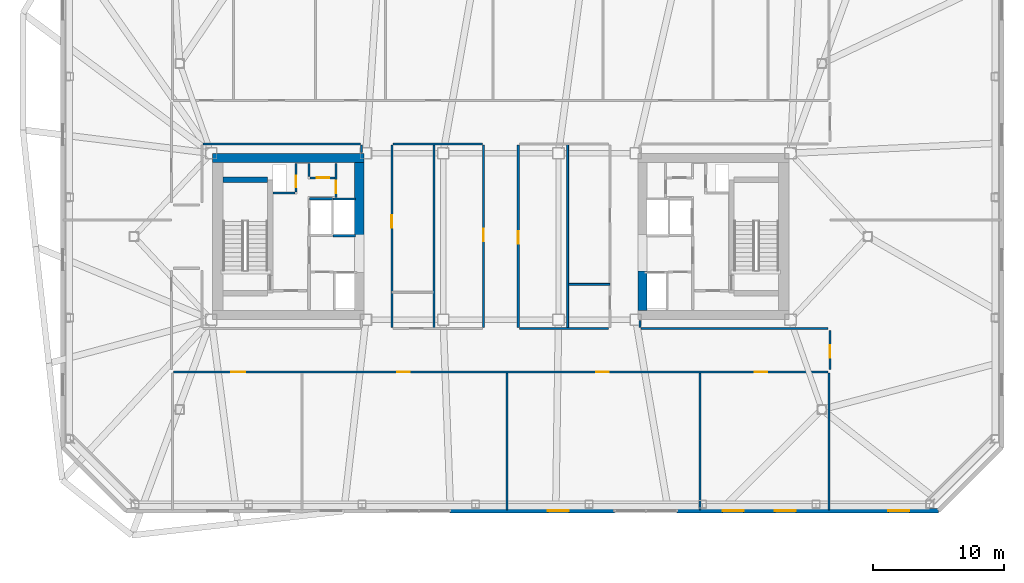
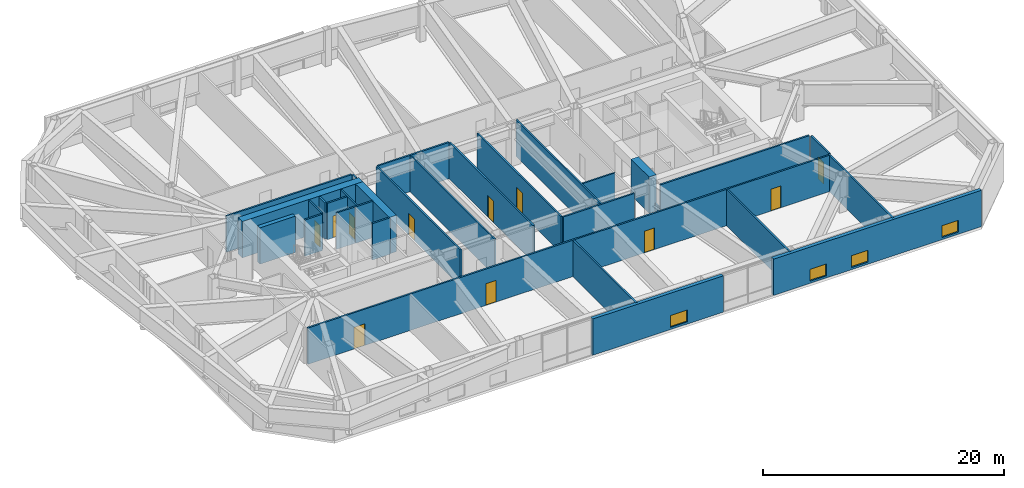
# One storey, part 13 of 19: 31 walls, 11 doors, 4 windows, 15 openings.
"""IFC4 building model written with IfcOpenShell, lengths in metres."""

from ifc_helpers import new_model, si_unit, direction, frame, frame_2d, origin, place, context, subcontext, project, spatial, rectangle, extrude, material, layer, layer_set, type_object, element, fill, save


model = new_model("IFC4")

# Units and contexts
model_context = context("Model", 3, precision=1e-05, world=origin(), true_north=direction((0.0, 1.0)))
body_context = subcontext(model_context, "Body", "Model", "MODEL_VIEW")
ifc_project = project(units=[si_unit("LENGTHUNIT", "METRE"), si_unit("AREAUNIT", "SQUARE_METRE"), si_unit("VOLUMEUNIT", "CUBIC_METRE"), si_unit("PLANEANGLEUNIT", "RADIAN"), si_unit("MASSUNIT", "GRAM", prefix="KILO")], contexts=[model_context])

# Site, building, storey
site_placement = place(None, origin())
site = spatial("IfcSite", under=ifc_project, at=site_placement, CompositionType="ELEMENT")
building_placement = place(site_placement, origin())
building = spatial("IfcBuilding", under=site, at=building_placement, Name="Tavrogorsk Clinical Tower", CompositionType="ELEMENT")
storey_placement = place(building_placement, frame((0.0, 0.0, 204.199951171875)))
storey = spatial("IfcBuildingStorey", under=building, at=storey_placement, Name="L47", CompositionType="ELEMENT", Elevation=204.199951171875)

# Walls
ifc_material_1 = material(Name="Lightweight concrete blockwork B15", Category="masonry")
ifc_layer_1 = layer(ifc_material_1, 0.139892578125)
ifc_layer_set_1 = layer_set([ifc_layer_1], Name="Lightweight concrete blockwork B15")
wall_type_1 = type_object("IfcWallType", Name="PartitionWall_140", PredefinedType="PARTITIONING", material=ifc_layer_set_1)
for number, where, z_axis, x_axis, name in (
    (1, (-5.10009765625, -7.014892578125, 0.0), (0.0, 0.0, 1.0), (0.0, 1.0, 0.0), "L47 Central Spine Partition 1"),
    (2, (5.10009765625, -7.014892578125, 0.0), (0.0, 0.0, 1.0), (0.0, 1.0, 0.0), "L47 Central Spine Partition 2"),
):
    element("IfcWall", number, at=place(storey_placement, frame(where, z_axis=z_axis, x_axis=x_axis)), inside=storey, type_object=wall_type_1, Name=name, PredefinedType="PARTITIONING", context=body_context, shape_type="SweptSolid", body=[
        extrude(rectangle(XDim=14.079833984375, YDim=0.139892578125, at=frame_2d((7.0400390625, 0.0))), origin(), (0.0, 0.0, 1.0), 3.679931640625),
    ])
wall_1_placement = place(storey_placement, frame((5.175048828125, -3.64990234375, 0.0), z_axis=(0.0, 0.0, 1.0), x_axis=(1.0, 0.0, 0.0)))
element("IfcWall", 3, at=wall_1_placement, inside=storey, type_object=wall_type_1, Name="L47 Central Spine Partition 4", PredefinedType="PARTITIONING", context=body_context, shape_type="SweptSolid", body=[
    extrude(rectangle(XDim=3.139892578125, YDim=0.139892578125, at=frame_2d((1.56982421875, 0.0))), origin(), (0.0, 0.0, 1.0), 3.679931640625),
])

# Wall, opening, door
ifc_material_2 = material(Name="Lightweight concrete blockwork B15", Category="masonry")
ifc_layer_2 = layer(ifc_material_2, 0.159912109375)
ifc_layer_set_2 = layer_set([ifc_layer_2], Name="Lightweight concrete blockwork B15")
wall_type_2 = type_object("IfcWallType", Name="PartitionWall_160", PredefinedType="PARTITIONING", material=ifc_layer_set_2)
wall_2_placement = place(storey_placement, frame((-12.580078125, 2.9599609375, 0.0), z_axis=(0.0, 0.0, 1.0), x_axis=(0.0, 1.0, 0.0)))
wall_2 = element("IfcWall", 4, at=wall_2_placement, inside=storey, type_object=wall_type_2, Name="L47 Core West Linen Closet Wall", PredefinedType="PARTITIONING", context=body_context, shape_type="SweptSolid", body=[
    extrude(rectangle(XDim=2.60009765625, YDim=0.159912109375, at=frame_2d((1.300048828125, 0.0))), origin(), (0.0, 0.0, 1.0), 3.679931640625),
])
opening_1_placement = place(wall_2_placement, frame((0.35009765625, 0.0, 0.0)))
opening_1 = element("IfcOpeningElement", 5, at=opening_1_placement, cuts=wall_2, Name="Opening ID-02", PredefinedType="OPENING", context=body_context, shape_type="SweptSolid", body=[
    extrude(rectangle(XDim=0.949951171875, YDim=2.199951171875, at=frame_2d((0.47509765625, 1.10009765625))), frame((0.0, 0.08984375, 0.0), z_axis=(0.0, -1.0, 0.0), x_axis=(1.0, 0.0, 0.0)), (0.0, 0.0, 1.0), 0.179931640625),
])
ifc_material_3 = material(Name="Laminated timber leaf on aluminium frame", Category="wood")
door_type_1 = type_object("IfcDoorType", Name="InteriorDoor_ID02_950", OperationType="NOTDEFINED", PredefinedType="DOOR", material=ifc_material_3)
door_1_placement = place(opening_1_placement, origin())
door_1 = element("IfcDoor", 6, at=door_1_placement, inside=storey, type_object=door_type_1, Name="L47 Core West Linen Closet Door", OperationType="SINGLE_SWING_RIGHT", OverallHeight=2.199951171875, OverallWidth=0.949951171875, PredefinedType="DOOR", context=body_context, shape_type="SweptSolid", body=[
    extrude(rectangle(XDim=0.949951171875, YDim=2.199951171875, at=frame_2d((0.47509765625, 1.10009765625))), frame((0.0, 0.02490234375, 0.0), z_axis=(0.0, -1.0, 0.0), x_axis=(1.0, 0.0, 0.0)), (0.0, 0.0, 1.0), 0.050048828125),
])
fill(opening_1, door_1)

wall_3_placement = place(storey_placement, frame((-14.554931640625, 4.47998046875, 0.0), z_axis=(0.0, 0.0, 1.0), x_axis=(1.0, 0.0, 0.0)))
wall_3 = element("IfcWall", 7, at=wall_3_placement, inside=storey, type_object=wall_type_2, Name="L47 Core West Housekeeping South Wall", PredefinedType="PARTITIONING", context=body_context, shape_type="SweptSolid", body=[
    extrude(rectangle(XDim=1.889892578125, YDim=0.159912109375, at=frame_2d((0.94482421875, 0.0))), origin(), (0.0, 0.0, 1.0), 3.679931640625),
])
opening_2_placement = place(wall_3_placement, frame((0.5, 0.0, 0.0)))
opening_2 = element("IfcOpeningElement", 8, at=opening_2_placement, cuts=wall_3, Name="Opening ID-02", PredefinedType="OPENING", context=body_context, shape_type="SweptSolid", body=[
    extrude(rectangle(XDim=0.949951171875, YDim=2.199951171875, at=frame_2d((0.47509765625, 1.10009765625))), frame((0.0, 0.08984375, 0.0), z_axis=(0.0, -1.0, 0.0), x_axis=(1.0, 0.0, 0.0)), (0.0, 0.0, 1.0), 0.179931640625),
])
door_2_placement = place(opening_2_placement, origin())
door_2 = element("IfcDoor", 9, at=door_2_placement, inside=storey, type_object=door_type_1, Name="L47 Core West Housekeeping Closet Door", OperationType="SINGLE_SWING_LEFT", OverallHeight=2.199951171875, OverallWidth=0.949951171875, PredefinedType="DOOR", context=body_context, shape_type="SweptSolid", body=[
    extrude(rectangle(XDim=0.949951171875, YDim=2.199951171875, at=frame_2d((0.47509765625, 1.10009765625))), frame((0.0, 0.02490234375, 0.0), z_axis=(0.0, -1.0, 0.0), x_axis=(1.0, 0.0, 0.0)), (0.0, 0.0, 1.0), 0.050048828125),
])
fill(opening_2, door_2)

# Walls
wall_4_placement = place(storey_placement, frame((-14.639892578125, 4.56494140625, 0.0), z_axis=(0.0, 0.0, 1.0), x_axis=(0.0, 1.0, 0.0)))
element("IfcWall", 10, at=wall_4_placement, inside=storey, type_object=wall_type_2, Name="L47 Core West Housekeeping East Wall", PredefinedType="PARTITIONING", context=body_context, shape_type="SweptSolid", body=[
    extrude(rectangle(XDim=0.9951171875, YDim=0.159912109375, at=frame_2d((0.49755859375, 0.0))), origin(), (0.0, 0.0, 1.0), 3.679931640625),
])
wall_5_placement = place(storey_placement, frame((-10.6298828125, 6.419921875, 0.0), z_axis=(0.0, 0.0, 1.0), x_axis=(0.0, 1.0, 0.0)))
element("IfcWall", 11, at=wall_5_placement, inside=storey, type_object=wall_type_2, Name="L47 Corridor Partition 06", PredefinedType="PARTITIONING", context=body_context, shape_type="SweptSolid", body=[
    extrude(rectangle(XDim=0.565185546875, YDim=0.159912109375, at=frame_2d((0.28271484375, 0.0))), origin(), (0.0, 0.0, 1.0), 3.679931640625),
])
wall_6_placement = place(storey_placement, frame((-10.715087890625, 7.070068359375, 0.0), z_axis=(0.0, 0.0, 1.0), x_axis=(-1.0, 0.0, 0.0)))
element("IfcWall", 12, at=wall_6_placement, inside=storey, type_object=wall_type_2, Name="L47 Corridor Partition 07", PredefinedType="PARTITIONING", context=body_context, shape_type="SweptSolid", body=[
    extrude(rectangle(XDim=12.02001953125, YDim=0.159912109375, at=frame_2d((6.010009765625, 0.0))), origin(), (0.0, 0.0, 1.0), 3.679931640625),
])
wall_7_placement = place(storey_placement, frame((10.6298828125, -6.419921875, 0.0), z_axis=(0.0, 0.0, 1.0), x_axis=(0.0, -1.0, 0.0)))
element("IfcWall", 13, at=wall_7_placement, inside=storey, type_object=wall_type_2, Name="L47 Corridor Partition 15", PredefinedType="PARTITIONING", context=body_context, shape_type="SweptSolid", body=[
    extrude(rectangle(XDim=0.51513671875, YDim=0.159912109375, at=frame_2d((0.257568359375, 0.0))), origin(), (0.0, 0.0, 1.0), 1.47509765625),
])
wall_8_placement = place(storey_placement, frame((10.715087890625, -7.02001953125, 0.0), z_axis=(0.0, 0.0, 1.0), x_axis=(1.0, 0.0, 0.0)))
element("IfcWall", 14, at=wall_8_placement, inside=storey, type_object=wall_type_2, Name="L47 Corridor Partition 16", PredefinedType="PARTITIONING", context=body_context, shape_type="SweptSolid", body=[
    extrude(rectangle(XDim=14.25, YDim=0.159912109375, at=frame_2d((7.125, 0.0))), origin(), (0.0, 0.0, 1.0), 3.679931640625),
])

# Wall, opening, door
wall_9_placement = place(storey_placement, frame((25.1298828125, -7.18505859375, 0.0), z_axis=(0.0, 0.0, 1.0), x_axis=(0.0, -1.0, 0.0)))
wall_9 = element("IfcWall", 15, at=wall_9_placement, inside=storey, type_object=wall_type_2, Name="L47 Corridor Partition 17", PredefinedType="PARTITIONING", context=body_context, shape_type="SweptSolid", body=[
    extrude(rectangle(XDim=2.97998046875, YDim=0.159912109375, at=frame_2d((1.489990234375, 0.0))), origin(), (0.0, 0.0, 1.0), 3.679931640625),
])
opening_3_placement = place(wall_9_placement, frame((1.10009765625, 0.0, 0.0)))
opening_3 = element("IfcOpeningElement", 16, at=opening_3_placement, cuts=wall_9, Name="Opening ID-02", PredefinedType="OPENING", context=body_context, shape_type="SweptSolid", body=[
    extrude(rectangle(XDim=0.949951171875, YDim=2.199951171875, at=frame_2d((0.47509765625, 1.10009765625))), frame((0.0, 0.08984375, 0.0), z_axis=(0.0, -1.0, 0.0), x_axis=(1.0, 0.0, 0.0)), (0.0, 0.0, 1.0), 0.179931640625),
])
door_3_placement = place(opening_3_placement, origin())
door_3 = element("IfcDoor", 17, at=door_3_placement, inside=storey, type_object=door_type_1, Name="L47 E Senior Clinician Suite 1 Door", OperationType="SINGLE_SWING_LEFT", OverallHeight=2.199951171875, OverallWidth=0.949951171875, PredefinedType="DOOR", context=body_context, shape_type="SweptSolid", body=[
    extrude(rectangle(XDim=0.949951171875, YDim=2.199951171875, at=frame_2d((0.47509765625, 1.10009765625))), frame((0.0, 0.02490234375, 0.0), z_axis=(0.0, -1.0, 0.0), x_axis=(1.0, 0.0, 0.0)), (0.0, 0.0, 1.0), 0.050048828125),
])
fill(opening_3, door_3)

# Wall, openings, doors
wall_10_placement = place(storey_placement, frame((24.965087890625, -10.330078125, 0.0), z_axis=(0.0, 0.0, 1.0), x_axis=(-1.0, 0.0, 0.0)))
wall_10 = element("IfcWall", 18, at=wall_10_placement, inside=storey, type_object=wall_type_2, Name="L47 Corridor Partition 18", PredefinedType="PARTITIONING", context=body_context, shape_type="SweptSolid", body=[
    extrude(rectangle(XDim=49.93017578125, YDim=0.159912109375, at=frame_2d((24.965087890625, 0.0))), origin(), (0.0, 0.0, 1.0), 3.679931640625),
])
opening_4_placement = place(wall_10_placement, frame((44.48583984375, 0.0, 0.0)))
opening_4 = element("IfcOpeningElement", 19, at=opening_4_placement, cuts=wall_10, Name="Opening ID-04", PredefinedType="OPENING", context=body_context, shape_type="SweptSolid", body=[
    extrude(rectangle(XDim=1.050048828125, YDim=2.199951171875, at=frame_2d((0.52490234375, 1.10009765625))), frame((0.0, 0.08984375, 0.0), z_axis=(0.0, -1.0, 0.0), x_axis=(1.0, 0.0, 0.0)), (0.0, 0.0, 1.0), 0.179931640625),
])
opening_5_placement = place(wall_10_placement, frame((31.919921875, 0.0, 0.0)))
opening_5 = element("IfcOpeningElement", 20, at=opening_5_placement, cuts=wall_10, Name="Opening ID-02", PredefinedType="OPENING", context=body_context, shape_type="SweptSolid", body=[
    extrude(rectangle(XDim=0.949951171875, YDim=2.199951171875, at=frame_2d((0.47509765625, 1.10009765625))), frame((0.0, 0.08984375, 0.0), z_axis=(0.0, -1.0, 0.0), x_axis=(1.0, 0.0, 0.0)), (0.0, 0.0, 1.0), 0.179931640625),
])
opening_6_placement = place(wall_10_placement, frame((16.739990234375, 0.0, 0.0)))
opening_6 = element("IfcOpeningElement", 21, at=opening_6_placement, cuts=wall_10, Name="Opening ID-02", PredefinedType="OPENING", context=body_context, shape_type="SweptSolid", body=[
    extrude(rectangle(XDim=0.949951171875, YDim=2.199951171875, at=frame_2d((0.47509765625, 1.10009765625))), frame((0.0, 0.08984375, 0.0), z_axis=(0.0, -1.0, 0.0), x_axis=(1.0, 0.0, 0.0)), (0.0, 0.0, 1.0), 0.179931640625),
])
opening_7_placement = place(wall_10_placement, frame((4.64404296875, 0.0, 0.0)))
opening_7 = element("IfcOpeningElement", 22, at=opening_7_placement, cuts=wall_10, Name="Opening ID-02", PredefinedType="OPENING", context=body_context, shape_type="SweptSolid", body=[
    extrude(rectangle(XDim=0.949951171875, YDim=2.199951171875, at=frame_2d((0.47509765625, 1.10009765625))), frame((0.0, 0.08984375, 0.0), z_axis=(0.0, -1.0, 0.0), x_axis=(1.0, 0.0, 0.0)), (0.0, 0.0, 1.0), 0.179931640625),
])
ifc_material_4 = material(Name="Antibacterial HPL consultation door on aluminium frame", Category="aluminium")
door_type_2 = type_object("IfcDoorType", Name="ConsultDoor_ID04_1050", OperationType="NOTDEFINED", PredefinedType="DOOR", material=ifc_material_4)
door_4_placement = place(opening_4_placement, origin())
door_4 = element("IfcDoor", 23, at=door_4_placement, inside=storey, type_object=door_type_2, Name="L47 South Clinical Informatics Research Office 01 Door", OperationType="SINGLE_SWING_LEFT", OverallHeight=2.199951171875, OverallWidth=1.050048828125, PredefinedType="DOOR", context=body_context, shape_type="SweptSolid", body=[
    extrude(rectangle(XDim=1.050048828125, YDim=2.199951171875, at=frame_2d((0.52490234375, 1.10009765625))), frame((0.0, 0.02490234375, 0.0), z_axis=(0.0, -1.0, 0.0), x_axis=(1.0, 0.0, 0.0)), (0.0, 0.0, 1.0), 0.050048828125),
])
fill(opening_4, door_4)
door_5_placement = place(opening_5_placement, origin())
door_5 = element("IfcDoor", 24, at=door_5_placement, inside=storey, type_object=door_type_1, Name="L47 South Biomedical Teaching Archive Store 02A Door", OperationType="SINGLE_SWING_RIGHT", OverallHeight=2.199951171875, OverallWidth=0.949951171875, PredefinedType="DOOR", context=body_context, shape_type="SweptSolid", body=[
    extrude(rectangle(XDim=0.949951171875, YDim=2.199951171875, at=frame_2d((0.47509765625, 1.10009765625))), frame((0.0, 0.02490234375, 0.0), z_axis=(0.0, -1.0, 0.0), x_axis=(1.0, 0.0, 0.0)), (0.0, 0.0, 1.0), 0.050048828125),
])
fill(opening_5, door_5)
door_6_placement = place(opening_6_placement, origin())
door_6 = element("IfcDoor", 25, at=door_6_placement, inside=storey, type_object=door_type_1, Name="L47 South Medical Library Reading Lounge 02B Door", OperationType="SINGLE_SWING_LEFT", OverallHeight=2.199951171875, OverallWidth=0.949951171875, PredefinedType="DOOR", context=body_context, shape_type="SweptSolid", body=[
    extrude(rectangle(XDim=0.949951171875, YDim=2.199951171875, at=frame_2d((0.47509765625, 1.10009765625))), frame((0.0, 0.02490234375, 0.0), z_axis=(0.0, -1.0, 0.0), x_axis=(1.0, 0.0, 0.0)), (0.0, 0.0, 1.0), 0.050048828125),
])
fill(opening_6, door_6)
door_7_placement = place(opening_7_placement, origin())
door_7 = element("IfcDoor", 26, at=door_7_placement, inside=storey, type_object=door_type_1, Name="L47 South Clinical Informatics Research Office 03 Door", OperationType="SINGLE_SWING_RIGHT", OverallHeight=2.199951171875, OverallWidth=0.949951171875, PredefinedType="DOOR", context=body_context, shape_type="SweptSolid", body=[
    extrude(rectangle(XDim=0.949951171875, YDim=2.199951171875, at=frame_2d((0.47509765625, 1.10009765625))), frame((0.0, 0.02490234375, 0.0), z_axis=(0.0, -1.0, 0.0), x_axis=(1.0, 0.0, 0.0)), (0.0, 0.0, 1.0), 0.050048828125),
])
fill(opening_7, door_7)

# Wall, opening, door
wall_11_placement = place(storey_placement, frame((1.330078125, 6.985107421875, 0.0), z_axis=(0.0, 0.0, 1.0), x_axis=(0.0, -1.0, 0.0)))
wall_11 = element("IfcWall", 27, at=wall_11_placement, inside=storey, type_object=wall_type_2, Name="L47 Corridor Partition 20", PredefinedType="PARTITIONING", context=body_context, shape_type="SweptSolid", body=[
    extrude(rectangle(XDim=13.920166015625, YDim=0.159912109375, at=frame_2d((6.9599609375, 0.0))), origin(), (0.0, 0.0, 1.0), 3.679931640625),
])
opening_8_placement = place(wall_11_placement, frame((6.570068359375, 0.0, 0.0)))
opening_8 = element("IfcOpeningElement", 28, at=opening_8_placement, cuts=wall_11, Name="Opening ID-02", PredefinedType="OPENING", context=body_context, shape_type="SweptSolid", body=[
    extrude(rectangle(XDim=0.949951171875, YDim=2.199951171875, at=frame_2d((0.47509765625, 1.10009765625))), frame((0.0, 0.08984375, 0.0), z_axis=(0.0, -1.0, 0.0), x_axis=(1.0, 0.0, 0.0)), (0.0, 0.0, 1.0), 0.179931640625),
])
door_8_placement = place(opening_8_placement, origin())
door_8 = element("IfcDoor", 29, at=door_8_placement, inside=storey, type_object=door_type_1, Name="L47 Clean Medication Preparation Room Door", OperationType="SINGLE_SWING_RIGHT", OverallHeight=2.199951171875, OverallWidth=0.949951171875, PredefinedType="DOOR", context=body_context, shape_type="SweptSolid", body=[
    extrude(rectangle(XDim=0.949951171875, YDim=2.199951171875, at=frame_2d((0.47509765625, 1.10009765625))), frame((0.0, 0.02490234375, 0.0), z_axis=(0.0, -1.0, 0.0), x_axis=(1.0, 0.0, 0.0)), (0.0, 0.0, 1.0), 0.050048828125),
])
fill(opening_8, door_8)

# Wall
wall_12_placement = place(storey_placement, frame((1.4150390625, -7.02001953125, 0.0), z_axis=(0.0, 0.0, 1.0), x_axis=(1.0, 0.0, 0.0)))
element("IfcWall", 30, at=wall_12_placement, inside=storey, type_object=wall_type_2, Name="L47 Corridor Partition 21", PredefinedType="PARTITIONING", context=body_context, shape_type="SweptSolid", body=[
    extrude(rectangle(XDim=6.820068359375, YDim=0.159912109375, at=frame_2d((3.41015625, 0.0))), origin(), (0.0, 0.0, 1.0), 3.679931640625),
])

# Wall, opening, door
wall_13_placement = place(storey_placement, frame((-1.330078125, -6.93505859375, 0.0), z_axis=(0.0, 0.0, 1.0), x_axis=(0.0, 1.0, 0.0)))
wall_13 = element("IfcWall", 31, at=wall_13_placement, inside=storey, type_object=wall_type_2, Name="L47 Corridor Partition 23", PredefinedType="PARTITIONING", context=body_context, shape_type="SweptSolid", body=[
    extrude(rectangle(XDim=13.920166015625, YDim=0.159912109375, at=frame_2d((6.9599609375, 0.0))), origin(), (0.0, 0.0, 1.0), 3.679931640625),
])
opening_9_placement = place(wall_13_placement, frame((6.570068359375, 0.0, 0.0)))
opening_9 = element("IfcOpeningElement", 32, at=opening_9_placement, cuts=wall_13, Name="Opening ID-02", PredefinedType="OPENING", context=body_context, shape_type="SweptSolid", body=[
    extrude(rectangle(XDim=0.949951171875, YDim=2.199951171875, at=frame_2d((0.47509765625, 1.10009765625))), frame((0.0, 0.08984375, 0.0), z_axis=(0.0, -1.0, 0.0), x_axis=(1.0, 0.0, 0.0)), (0.0, 0.0, 1.0), 0.179931640625),
])
door_9_placement = place(opening_9_placement, origin())
door_9 = element("IfcDoor", 33, at=door_9_placement, inside=storey, type_object=door_type_1, Name="L47 Nurses' Station & Telemetry Hub Door", OperationType="SINGLE_SWING_LEFT", OverallHeight=2.199951171875, OverallWidth=0.949951171875, PredefinedType="DOOR", context=body_context, shape_type="SweptSolid", body=[
    extrude(rectangle(XDim=0.949951171875, YDim=2.199951171875, at=frame_2d((0.47509765625, 1.10009765625))), frame((0.0, 0.02490234375, 0.0), z_axis=(0.0, -1.0, 0.0), x_axis=(1.0, 0.0, 0.0)), (0.0, 0.0, 1.0), 0.050048828125),
])
fill(opening_9, door_9)

# Wall
wall_14_placement = place(storey_placement, frame((-1.4150390625, 7.070068359375, 0.0), z_axis=(0.0, 0.0, 1.0), x_axis=(-1.0, 0.0, 0.0)))
element("IfcWall", 34, at=wall_14_placement, inside=storey, type_object=wall_type_2, Name="L47 Corridor Partition 24", PredefinedType="PARTITIONING", context=body_context, shape_type="SweptSolid", body=[
    extrude(rectangle(XDim=6.820068359375, YDim=0.159912109375, at=frame_2d((3.41015625, 0.0))), origin(), (0.0, 0.0, 1.0), 3.679931640625),
])

# Wall, opening, door
wall_15_placement = place(storey_placement, frame((-8.320068359375, 6.985107421875, 0.0), z_axis=(0.0, 0.0, 1.0), x_axis=(0.0, -1.0, 0.0)))
wall_15 = element("IfcWall", 35, at=wall_15_placement, inside=storey, type_object=wall_type_2, Name="L47 Corridor Partition 25", PredefinedType="PARTITIONING", context=body_context, shape_type="SweptSolid", body=[
    extrude(rectangle(XDim=13.920166015625, YDim=0.159912109375, at=frame_2d((6.9599609375, 0.0))), origin(), (0.0, 0.0, 1.0), 3.679931640625),
])
opening_10_placement = place(wall_15_placement, frame((5.379150390625, 0.0, 0.0)))
opening_10 = element("IfcOpeningElement", 36, at=opening_10_placement, cuts=wall_15, Name="Opening ID-02", PredefinedType="OPENING", context=body_context, shape_type="SweptSolid", body=[
    extrude(rectangle(XDim=0.949951171875, YDim=2.199951171875, at=frame_2d((0.47509765625, 1.10009765625))), frame((0.0, 0.08984375, 0.0), z_axis=(0.0, -1.0, 0.0), x_axis=(1.0, 0.0, 0.0)), (0.0, 0.0, 1.0), 0.179931640625),
])
door_10_placement = place(opening_10_placement, origin())
door_10 = element("IfcDoor", 37, at=door_10_placement, inside=storey, type_object=door_type_1, Name="L47 Ward Nourishment Pantry Door", OperationType="SINGLE_SWING_RIGHT", OverallHeight=2.199951171875, OverallWidth=0.949951171875, PredefinedType="DOOR", context=body_context, shape_type="SweptSolid", body=[
    extrude(rectangle(XDim=0.949951171875, YDim=2.199951171875, at=frame_2d((0.47509765625, 1.10009765625))), frame((0.0, 0.02490234375, 0.0), z_axis=(0.0, -1.0, 0.0), x_axis=(1.0, 0.0, 0.0)), (0.0, 0.0, 1.0), 0.050048828125),
])
fill(opening_10, door_10)

# Walls
for number, where, z_axis, x_axis, name in (
    (38, (25.050048828125, -20.860107421875, 0.0), (0.0, 0.0, 1.0), (0.0, 1.0, 0.0), "L47 SE Wing Closure Partition"),
    (39, (15.199951171875, -20.860107421875, 0.0), (0.0, 0.0, 1.0), (0.0, 1.0, 0.0), "L47 South Room Partition 2"),
    (40, (0.469970703125, -20.860107421875, 0.0), (0.0, 0.0, 1.0), (0.0, 1.0, 0.0), "L47 South Sub-Partition 2"),
):
    element("IfcWall", number, at=place(storey_placement, frame(where, z_axis=z_axis, x_axis=x_axis)), inside=storey, type_object=wall_type_2, Name=name, PredefinedType="PARTITIONING", context=body_context, shape_type="SweptSolid", body=[
        extrude(rectangle(XDim=10.445068359375, YDim=0.159912109375, at=frame_2d((5.22265625, 0.0))), origin(), (0.0, 0.0, 1.0), 3.679931640625),
    ])

# Wall, opening, window
ifc_material_5 = material(Name="Precast concrete B45 with limestone cladding", Category="masonry")
ifc_layer_3 = layer(ifc_material_5, 0.340087890625)
ifc_layer_set_3 = layer_set([ifc_layer_3], Name="Precast concrete B45 with limestone cladding")
wall_type_3 = type_object("IfcWallType", Name="PrecastLimestoneWall_340", PredefinedType="STANDARD", material=ifc_layer_set_3)
wall_16_placement = place(storey_placement, frame((-3.86279296875, -20.929931640625, 0.0), z_axis=(0.0, 0.0, 1.0), x_axis=(1.0, 0.0, 0.0)))
wall_16 = element("IfcWall", 41, at=wall_16_placement, inside=storey, type_object=wall_type_3, Name="L47 S Limestone Facade Wall 2", PredefinedType="STANDARD", context=body_context, shape_type="SweptSolid", body=[
    extrude(rectangle(XDim=12.525634765625, YDim=0.340087890625, at=frame_2d((6.2626953125, 0.0))), origin(), (0.0, 0.0, 1.0), 3.679931640625),
])
opening_11_placement = place(wall_16_placement, frame((7.455322265625, 0.0, 0.219970703125)))
opening_11 = element("IfcOpeningElement", 42, at=opening_11_placement, cuts=wall_16, Name="Opening WN-09", PredefinedType="OPENING", context=body_context, shape_type="SweptSolid", body=[
    extrude(rectangle(XDim=1.60009765625, YDim=1.199951171875, at=frame_2d((0.800048828125, 0.60009765625))), frame((0.0, 0.179931640625, 0.0), z_axis=(0.0, -1.0, 0.0), x_axis=(1.0, 0.0, 0.0)), (0.0, 0.0, 1.0), 0.360107421875),
])
ifc_material_6 = material(Name="Thermally broken aluminium frame and triple IGU", Category="aluminium")
window_type = type_object("IfcWindowType", Name="LowHeadTransWin_1600x1200", PartitioningType="DOUBLE_PANEL_VERTICAL", PredefinedType="WINDOW", material=ifc_material_6)
window_1_placement = place(opening_11_placement, origin())
window_1 = element("IfcWindow", 43, at=window_1_placement, inside=storey, type_object=window_type, Name="L47 S Chicago Window 06", OverallHeight=1.199951171875, OverallWidth=1.60009765625, PartitioningType="SINGLE_PANEL", PredefinedType="WINDOW", context=body_context, shape_type="SweptSolid", body=[
    extrude(rectangle(XDim=1.60009765625, YDim=1.199951171875, at=frame_2d((0.800048828125, 0.60009765625))), frame((0.0, 0.030029296875, 0.0), z_axis=(0.0, -1.0, 0.0), x_axis=(1.0, 0.0, 0.0)), (0.0, 0.0, 1.0), 0.06005859375),
])
fill(opening_11, window_1)

# Wall, openings, windows
wall_17_placement = place(storey_placement, frame((13.462890625, -20.929931640625, 0.0), z_axis=(0.0, 0.0, 1.0), x_axis=(1.0, 0.0, 0.0)))
wall_17 = element("IfcWall", 44, at=wall_17_placement, inside=storey, type_object=wall_type_3, Name="L47 S Limestone Facade Wall 3", PredefinedType="STANDARD", context=body_context, shape_type="SweptSolid", body=[
    extrude(rectangle(XDim=19.93701171875, YDim=0.340087890625, at=frame_2d((9.968505859375, 0.0))), origin(), (0.0, 0.0, 1.0), 3.679931640625),
])
opening_12_placement = place(wall_17_placement, frame((3.470458984375, 0.0, 0.219970703125)))
opening_12 = element("IfcOpeningElement", 45, at=opening_12_placement, cuts=wall_17, Name="Opening WN-09", PredefinedType="OPENING", context=body_context, shape_type="SweptSolid", body=[
    extrude(rectangle(XDim=1.60009765625, YDim=1.199951171875, at=frame_2d((0.800048828125, 0.60009765625))), frame((0.0, 0.179931640625, 0.0), z_axis=(0.0, -1.0, 0.0), x_axis=(1.0, 0.0, 0.0)), (0.0, 0.0, 1.0), 0.360107421875),
])
opening_13_placement = place(wall_17_placement, frame((7.455322265625, 0.0, 0.219970703125)))
opening_13 = element("IfcOpeningElement", 46, at=opening_13_placement, cuts=wall_17, Name="Opening WN-09", PredefinedType="OPENING", context=body_context, shape_type="SweptSolid", body=[
    extrude(rectangle(XDim=1.60009765625, YDim=1.199951171875, at=frame_2d((0.800048828125, 0.60009765625))), frame((0.0, 0.179931640625, 0.0), z_axis=(0.0, -1.0, 0.0), x_axis=(1.0, 0.0, 0.0)), (0.0, 0.0, 1.0), 0.360107421875),
])
opening_14_placement = place(wall_17_placement, frame((16.1181640625, 0.0, 0.219970703125)))
opening_14 = element("IfcOpeningElement", 47, at=opening_14_placement, cuts=wall_17, Name="Opening WN-09", PredefinedType="OPENING", context=body_context, shape_type="SweptSolid", body=[
    extrude(rectangle(XDim=1.60009765625, YDim=1.199951171875, at=frame_2d((0.800048828125, 0.60009765625))), frame((0.0, 0.179931640625, 0.0), z_axis=(0.0, -1.0, 0.0), x_axis=(1.0, 0.0, 0.0)), (0.0, 0.0, 1.0), 0.360107421875),
])
window_2_placement = place(opening_12_placement, origin())
window_2 = element("IfcWindow", 48, at=window_2_placement, inside=storey, type_object=window_type, Name="L47 S Chicago Window 07", OverallHeight=1.199951171875, OverallWidth=1.60009765625, PartitioningType="SINGLE_PANEL", PredefinedType="WINDOW", context=body_context, shape_type="SweptSolid", body=[
    extrude(rectangle(XDim=1.60009765625, YDim=1.199951171875, at=frame_2d((0.800048828125, 0.60009765625))), frame((0.0, 0.030029296875, 0.0), z_axis=(0.0, -1.0, 0.0), x_axis=(1.0, 0.0, 0.0)), (0.0, 0.0, 1.0), 0.06005859375),
])
fill(opening_12, window_2)
window_3_placement = place(opening_13_placement, origin())
window_3 = element("IfcWindow", 49, at=window_3_placement, inside=storey, type_object=window_type, Name="L47 S Chicago Window 08", OverallHeight=1.199951171875, OverallWidth=1.60009765625, PartitioningType="SINGLE_PANEL", PredefinedType="WINDOW", context=body_context, shape_type="SweptSolid", body=[
    extrude(rectangle(XDim=1.60009765625, YDim=1.199951171875, at=frame_2d((0.800048828125, 0.60009765625))), frame((0.0, 0.030029296875, 0.0), z_axis=(0.0, -1.0, 0.0), x_axis=(1.0, 0.0, 0.0)), (0.0, 0.0, 1.0), 0.06005859375),
])
fill(opening_13, window_3)
window_4_placement = place(opening_14_placement, origin())
window_4 = element("IfcWindow", 50, at=window_4_placement, inside=storey, type_object=window_type, Name="L47 S Chicago Window 10", OverallHeight=1.199951171875, OverallWidth=1.60009765625, PartitioningType="SINGLE_PANEL", PredefinedType="WINDOW", context=body_context, shape_type="SweptSolid", body=[
    extrude(rectangle(XDim=1.60009765625, YDim=1.199951171875, at=frame_2d((0.800048828125, 0.60009765625))), frame((0.0, 0.030029296875, 0.0), z_axis=(0.0, -1.0, 0.0), x_axis=(1.0, 0.0, 0.0)), (0.0, 0.0, 1.0), 0.06005859375),
])
fill(opening_14, window_4)

# Walls
ifc_material_7 = material(Name="Lightweight concrete blockwork B25", Category="masonry")
ifc_layer_4 = layer(ifc_material_7, 0.159912109375)
ifc_layer_set_4 = layer_set([ifc_layer_4], Name="Lightweight concrete blockwork B25")
wall_type_4 = type_object("IfcWallType", Name="ShaftWall_160", PredefinedType="PARTITIONING", material=ifc_layer_set_4)
wall_18_placement = place(storey_placement, frame((-14.60009765625, 2.8798828125, 0.0), z_axis=(0.0, 0.0, 1.0), x_axis=(1.0, 0.0, 0.0)))
element("IfcWall", 51, at=wall_18_placement, inside=storey, type_object=wall_type_4, Name="L47 FFL-W Shaft North Wall", PredefinedType="PARTITIONING", context=body_context, shape_type="SweptSolid", body=[
    extrude(rectangle(XDim=1.760009765625, YDim=0.159912109375, at=frame_2d((0.8798828125, 0.0))), origin(), (0.0, 0.0, 1.0), 3.679931640625),
])
for number, where, z_axis, x_axis, name in (
    (52, (-12.820068359375, 0.06005859375, 0.0), (0.0, 0.0, 1.0), (1.0, 0.0, 0.0), "L47 LP-H1 High-Zone Lift Portal Wall"),
    (53, (-12.820068359375, 2.860107421875, 0.0), (0.0, 0.0, 1.0), (1.0, 0.0, 0.0), "L47 LP-H1 High-Zone Lift Rear Wall"),
):
    element("IfcWall", number, at=place(storey_placement, frame(where, z_axis=z_axis, x_axis=x_axis)), inside=storey, type_object=wall_type_4, Name=name, PredefinedType="PARTITIONING", context=body_context, shape_type="SweptSolid", body=[
        extrude(rectangle(XDim=1.719970703125, YDim=0.159912109375, at=frame_2d((0.85986328125, 0.0))), origin(), (0.0, 0.0, 1.0), 3.679931640625),
    ])

# Wall, opening, door
wall_19_placement = place(storey_placement, frame((-15.639892578125, 3.405029296875, 0.0), z_axis=(0.0, 0.0, 1.0), x_axis=(0.0, 1.0, 0.0)))
wall_19 = element("IfcWall", 54, at=wall_19_placement, inside=storey, type_object=wall_type_4, Name="L47 Core West Riser West Wall", PredefinedType="PARTITIONING", context=body_context, shape_type="SweptSolid", body=[
    extrude(rectangle(XDim=2.155029296875, YDim=0.159912109375, at=frame_2d((1.07763671875, 0.0))), origin(), (0.0, 0.0, 1.0), 3.679931640625),
])
opening_15_placement = place(wall_19_placement, frame((0.35009765625, 0.0, 0.0)))
opening_15 = element("IfcOpeningElement", 55, at=opening_15_placement, cuts=wall_19, Name="Opening FD-02", PredefinedType="OPENING", context=body_context, shape_type="SweptSolid", body=[
    extrude(rectangle(XDim=0.89990234375, YDim=2.199951171875, at=frame_2d((0.449951171875, 1.10009765625))), frame((0.0, 0.08984375, 0.0), z_axis=(0.0, -1.0, 0.0), x_axis=(1.0, 0.0, 0.0)), (0.0, 0.0, 1.0), 0.179931640625),
])
ifc_material_8 = material(Name="Galvanised steel fire-rated door assembly", Category="steel")
door_type_3 = type_object("IfcDoorType", Name="FireDoor_FD02_900", OperationType="NOTDEFINED", PredefinedType="DOOR", material=ifc_material_8)
door_11_placement = place(opening_15_placement, origin())
door_11 = element("IfcDoor", 56, at=door_11_placement, inside=storey, type_object=door_type_3, Name="L47 Core West Electrical Riser Access Door", OperationType="SINGLE_SWING_LEFT", OverallHeight=2.199951171875, OverallWidth=0.89990234375, PredefinedType="DOOR", context=body_context, shape_type="SweptSolid", body=[
    extrude(rectangle(XDim=0.89990234375, YDim=2.199951171875, at=frame_2d((0.449951171875, 1.10009765625))), frame((0.0, 0.02490234375, 0.0), z_axis=(0.0, -1.0, 0.0), x_axis=(1.0, 0.0, 0.0)), (0.0, 0.0, 1.0), 0.050048828125),
])
fill(opening_15, door_11)

# Walls
wall_20_placement = place(storey_placement, frame((-17.3798828125, 3.320068359375, 0.0), z_axis=(0.0, 0.0, 1.0), x_axis=(1.0, 0.0, 0.0)))
element("IfcWall", 57, at=wall_20_placement, inside=storey, type_object=wall_type_4, Name="L47 Core West Riser South Wall", PredefinedType="PARTITIONING", context=body_context, shape_type="SweptSolid", body=[
    extrude(rectangle(XDim=1.65478515625, YDim=0.159912109375, at=frame_2d((0.827392578125, 0.0))), origin(), (0.0, 0.0, 1.0), 3.679931640625),
])
ifc_material_9 = material(Name="Concrete B80", Category="concrete")
ifc_layer_5 = layer(ifc_material_9, 0.39990234375)
ifc_layer_set_5 = layer_set([ifc_layer_5], Name="Concrete B80")
wall_type_5 = type_object("IfcWallType", Name="ShearWall_400", PredefinedType="SHEAR", material=ifc_layer_set_5)
wall_21_placement = place(storey_placement, frame((-21.199951171875, 4.324951171875, 0.0), z_axis=(0.0, 0.0, 1.0), x_axis=(1.0, 0.0, 0.0)))
element("IfcWall", 58, at=wall_21_placement, inside=storey, type_object=wall_type_5, Name="L47 Core West Stair Shaft North Shear Wall", PredefinedType="SHEAR", context=body_context, shape_type="SweptSolid", body=[
    extrude(rectangle(XDim=3.39990234375, YDim=0.39990234375, at=frame_2d((1.699951171875, 0.0))), origin(), (0.0, 0.0, 1.0), 3.679931640625),
])
ifc_material_10 = material(Name="Concrete B80", Category="concrete")
ifc_layer_6 = layer(ifc_material_10, 0.699951171875)
ifc_layer_set_6 = layer_set([ifc_layer_6], Name="Concrete B80")
wall_type_6 = type_object("IfcWallType", Name="ShearWall_700", PredefinedType="SHEAR", material=ifc_layer_set_6)
wall_22_placement = place(storey_placement, frame((-22.0, 6.0, 0.0), z_axis=(0.0, 0.0, 1.0), x_axis=(1.0, 0.0, 0.0)))
element("IfcWall", 59, at=wall_22_placement, inside=storey, type_object=wall_type_6, Name="L47 Core West North Shear Wall", PredefinedType="SHEAR", context=body_context, shape_type="SweptSolid", body=[
    extrude(rectangle(XDim=11.550048828125, YDim=0.699951171875, at=frame_2d((5.77490234375, 0.0))), origin(), (0.0, 0.0, 1.0), 3.679931640625),
])
wall_23_placement = place(storey_placement, frame((-10.800048828125, 0.050048828125, 0.0), z_axis=(0.0, 0.0, 1.0), x_axis=(0.0, 1.0, 0.0)))
element("IfcWall", 60, at=wall_23_placement, inside=storey, type_object=wall_type_6, Name="L47 Core West Inner North Pier", PredefinedType="SHEAR", context=body_context, shape_type="SweptSolid", body=[
    extrude(rectangle(XDim=5.599853515625, YDim=0.699951171875, at=frame_2d((2.7998046875, 0.0))), origin(), (0.0, 0.0, 1.0), 3.679931640625),
])
wall_24_placement = place(storey_placement, frame((10.800048828125, -5.64990234375, 0.0), z_axis=(0.0, 0.0, 1.0), x_axis=(0.0, 1.0, 0.0)))
element("IfcWall", 61, at=wall_24_placement, inside=storey, type_object=wall_type_6, Name="L47 Core East Inner South Pier", PredefinedType="SHEAR", context=body_context, shape_type="SweptSolid", body=[
    extrude(rectangle(XDim=3.0, YDim=0.699951171875, at=frame_2d((1.5, 0.0))), origin(), (0.0, 0.0, 1.0), 3.679931640625),
])

save(model, "model.ifc")
